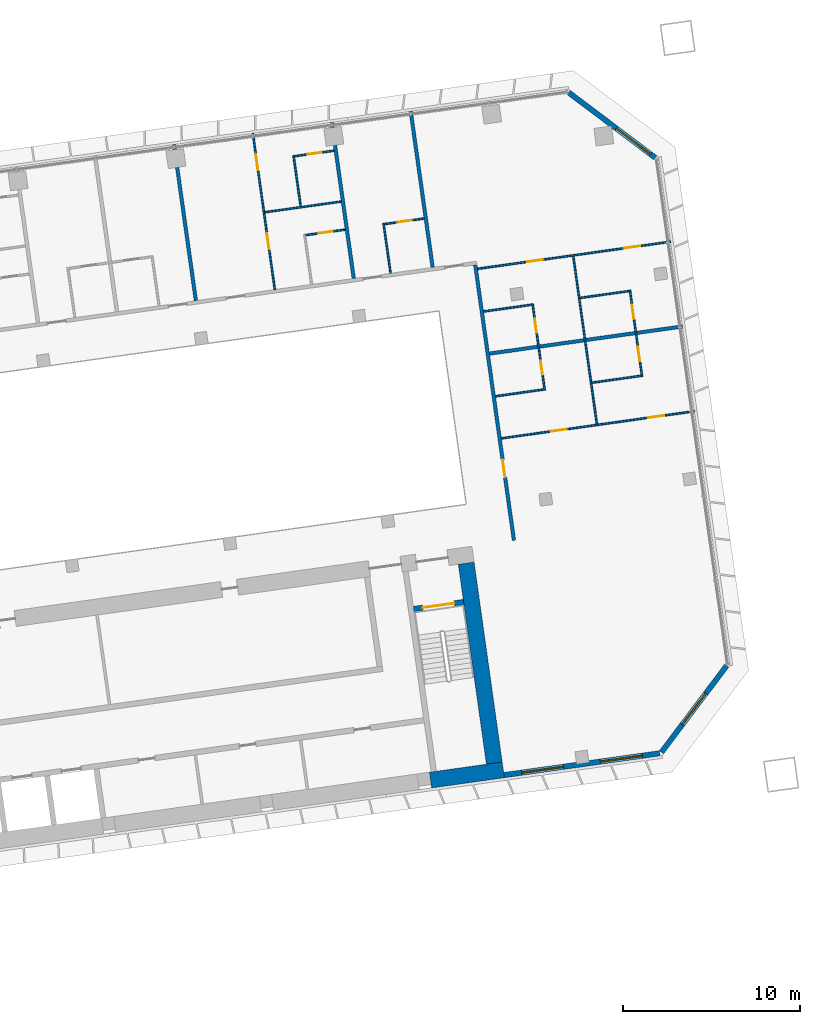
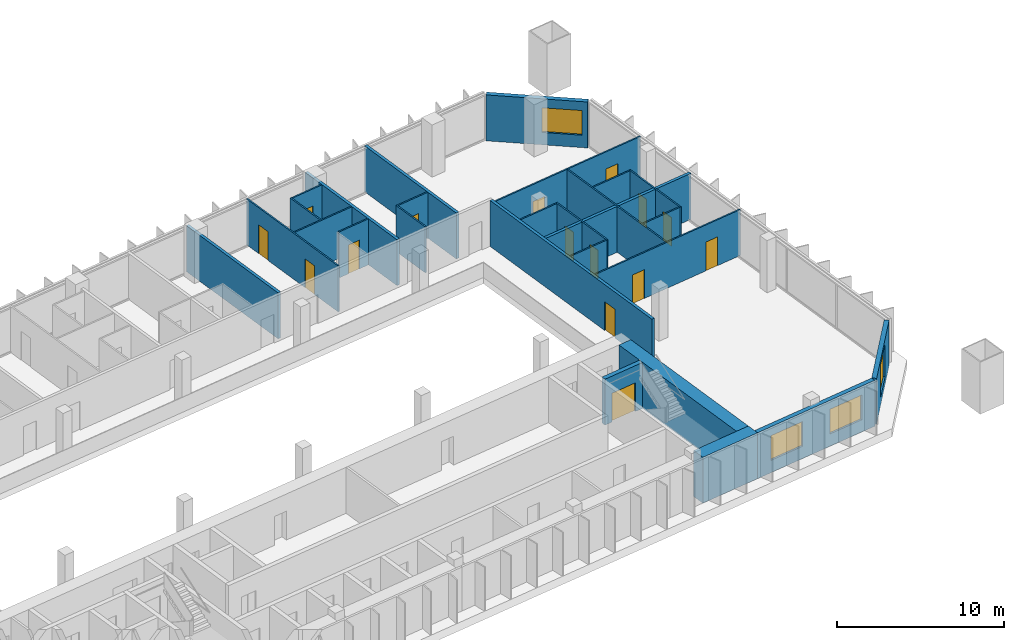
# One storey, part 22 of 25: 27 walls, 15 doors, 4 windows, 19 openings.
"""IFC4 building model written with IfcOpenShell, lengths in metres."""

from ifc_helpers import new_model, si_unit, direction, frame, frame_2d, origin, place, context, subcontext, project, spatial, rectangle, extrude, material, layer, layer_set, type_object, element, fill, save


model = new_model("IFC4")

# Units and contexts
model_context = context("Model", 3, precision=1e-05, world=origin(), true_north=direction((0.0, 1.0)))
body_context = subcontext(model_context, "Body", "Model", "MODEL_VIEW")
ifc_project = project(units=[si_unit("LENGTHUNIT", "METRE"), si_unit("AREAUNIT", "SQUARE_METRE"), si_unit("VOLUMEUNIT", "CUBIC_METRE"), si_unit("PLANEANGLEUNIT", "RADIAN"), si_unit("MASSUNIT", "GRAM", prefix="KILO")], contexts=[model_context])

# Site, building, storey
site_placement = place(None, origin())
site = spatial("IfcSite", under=ifc_project, at=site_placement, CompositionType="ELEMENT")
building_placement = place(site_placement, origin())
building = spatial("IfcBuilding", under=site, at=building_placement, Name="Mirante Cascada Hotel Towers", CompositionType="ELEMENT")
storey_placement = place(building_placement, frame((0.0, 0.0, 54.7)))
storey = spatial("IfcBuildingStorey", under=building, at=storey_placement, Name="L10", CompositionType="ELEMENT", Elevation=54.7)

# Walls
ifc_material_1 = material(Name="Fire-rated plasterboard on metal studs")
ifc_layer_1 = layer(ifc_material_1, 0.2)
ifc_layer_set_1 = layer_set([ifc_layer_1], Name="Compartment wall 200 EI 120")
wall_type_1 = type_object("IfcWallType", Name="Compartment wall 200 EI 120", PredefinedType="PARTITIONING", material=ifc_layer_set_1)
wall_1_placement = place(storey_placement, frame((89.7337, 11.2758, 0.0), z_axis=(0.0, 0.0, 1.0), x_axis=(0.990268, 0.1391733, 0.0)))
element("IfcWall", 1, at=wall_1_placement, inside=storey, type_object=wall_type_1, Name="Wall 2-L10-13", PredefinedType="PARTITIONING", context=body_context, shape_type="SweptSolid", body=[
    extrude(rectangle(XDim=11.0, YDim=0.2, at=frame_2d((5.5, 0.0))), origin(), (0.0, 0.0, 1.0), 3.35),
])
wall_2_placement = place(storey_placement, frame((71.9178, 23.0779, 0.0), z_axis=(0.0, 0.0, 1.0), x_axis=(0.1391684, -0.9902687, 0.0)))
element("IfcWall", 2, at=wall_2_placement, inside=storey, type_object=wall_type_1, Name="Wall 2-L10-52", PredefinedType="PARTITIONING", context=body_context, shape_type="SweptSolid", body=[
    extrude(rectangle(XDim=8.9, YDim=0.2, at=frame_2d((4.45, 0.0))), origin(), (0.0, 0.0, 1.0), 3.35),
])
wall_3_placement = place(storey_placement, frame((80.8302, 24.3304, 0.0), z_axis=(0.0, 0.0, 1.0), x_axis=(0.13917, -0.9902685, 0.0)))
element("IfcWall", 3, at=wall_3_placement, inside=storey, type_object=wall_type_1, Name="Wall 2-L10-56", PredefinedType="PARTITIONING", context=body_context, shape_type="SweptSolid", body=[
    extrude(rectangle(XDim=8.8999, YDim=0.2, at=frame_2d((4.45, 0.0))), origin(), (0.0, 0.0, 1.0), 3.35),
])
wall_4_placement = place(storey_placement, frame((85.2864, 24.9567, 0.0), z_axis=(0.0, 0.0, 1.0), x_axis=(0.1391684, -0.9902687, 0.0)))
element("IfcWall", 4, at=wall_4_placement, inside=storey, type_object=wall_type_1, Name="Wall 2-L10-58", PredefinedType="PARTITIONING", context=body_context, shape_type="SweptSolid", body=[
    extrude(rectangle(XDim=8.9, YDim=0.2, at=frame_2d((4.45, 0.0))), origin(), (0.0, 0.0, 1.0), 3.35),
])

# Wall, opening, door
wall_5_placement = place(storey_placement, frame((91.1145, 0.7321, 0.0), z_axis=(0.0, 0.0, 1.0), x_axis=(-0.1391721, 0.9902682, 0.0)))
wall_5 = element("IfcWall", 5, at=wall_5_placement, inside=storey, type_object=wall_type_1, Name="Wall 2-L10-59", PredefinedType="PARTITIONING", context=body_context, shape_type="SweptSolid", body=[
    extrude(rectangle(XDim=15.7, YDim=0.2, at=frame_2d((7.85, 0.0))), origin(), (0.0, 0.0, 1.0), 3.35),
])
opening_1_placement = place(wall_5_placement, frame((3.6, 0.0, 0.0)))
opening_1 = element("IfcOpeningElement", 6, at=opening_1_placement, cuts=wall_5, Name="Opening D2-L10-38", PredefinedType="OPENING", context=body_context, shape_type="SweptSolid", body=[
    extrude(rectangle(XDim=1.0, YDim=2.1, at=frame_2d((0.5, 1.05))), frame((0.0, 0.1, 0.0), z_axis=(0.0, -1.0, 0.0), x_axis=(1.0, 0.0, 0.0)), (0.0, 0.0, 1.0), 0.2),
])
ifc_material_2 = material(Name="Fire-rated timber door leaf", Category="wood")
door_type_1 = type_object("IfcDoorType", Name="Entrance door DG1 1000x2100 EI 60", OperationType="SINGLE_SWING_LEFT", PredefinedType="DOOR", material=ifc_material_2)
door_1_placement = place(opening_1_placement, frame((1.0, 0.0, 0.0), z_axis=(0.0, 0.0, 1.0), x_axis=(-1.0, 0.0, 0.0)))
door_1 = element("IfcDoor", 7, at=door_1_placement, inside=storey, type_object=door_type_1, Name="Door D2-L10-38", OperationType="SINGLE_SWING_RIGHT", OverallHeight=2.1, OverallWidth=1.0, PredefinedType="DOOR", context=body_context, shape_type="SweptSolid", body=[
    extrude(rectangle(XDim=1.0, YDim=2.1, at=frame_2d((0.5, 1.05))), frame((0.0, 0.025, 0.0), z_axis=(0.0, -1.0, 0.0), x_axis=(1.0, 0.0, 0.0)), (0.0, 0.0, 1.0), 0.05),
])
fill(opening_1, door_1)

# Wall, openings, doors
ifc_material_3 = material(Name="Plasterboard on metal studs")
ifc_layer_2 = layer(ifc_material_3, 0.1)
ifc_layer_set_2 = layer_set([ifc_layer_2], Name="Partition 100")
wall_type_2 = type_object("IfcWallType", Name="Partition 100", PredefinedType="PARTITIONING", material=ifc_layer_set_2)
wall_6_placement = place(storey_placement, frame((90.4064, 6.4896, 0.0), z_axis=(0.0, 0.0, 1.0), x_axis=(0.990268, 0.1391733, 0.0)))
wall_6 = element("IfcWall", 8, at=wall_6_placement, inside=storey, type_object=wall_type_2, Name="Wall 2-L10-07", PredefinedType="PARTITIONING", context=body_context, shape_type="SweptSolid", body=[
    extrude(rectangle(XDim=11.0, YDim=0.1, at=frame_2d((5.5, 0.0))), origin(), (0.0, 0.0, 1.0), 3.35),
])
opening_2_placement = place(wall_6_placement, frame((2.825, 0.0, 0.0)))
opening_2 = element("IfcOpeningElement", 9, at=opening_2_placement, cuts=wall_6, Name="Opening D2-L10-02", PredefinedType="OPENING", context=body_context, shape_type="SweptSolid", body=[
    extrude(rectangle(XDim=0.9, YDim=2.1, at=frame_2d((0.45, 1.05))), frame((0.0, 0.05, 0.0), z_axis=(0.0, -1.0, 0.0), x_axis=(1.0, 0.0, 0.0)), (0.0, 0.0, 1.0), 0.1),
])
opening_3_placement = place(wall_6_placement, frame((8.375, 0.0, 0.0)))
opening_3 = element("IfcOpeningElement", 10, at=opening_3_placement, cuts=wall_6, Name="Opening D2-L10-03", PredefinedType="OPENING", context=body_context, shape_type="SweptSolid", body=[
    extrude(rectangle(XDim=0.9, YDim=2.1, at=frame_2d((0.45, 1.05))), frame((0.0, 0.05, 0.0), z_axis=(0.0, -1.0, 0.0), x_axis=(1.0, 0.0, 0.0)), (0.0, 0.0, 1.0), 0.1),
])
ifc_material_4 = material(Name="Timber door leaf", Category="wood")
door_type_2 = type_object("IfcDoorType", Name="Room door DG3 900x2100", OperationType="SINGLE_SWING_LEFT", PredefinedType="DOOR", material=ifc_material_4)
door_2_placement = place(opening_2_placement, frame((0.9, 0.0, 0.0), z_axis=(0.0, 0.0, 1.0), x_axis=(-1.0, 0.0, 0.0)))
door_2 = element("IfcDoor", 11, at=door_2_placement, inside=storey, type_object=door_type_2, Name="Door D2-L10-02", OperationType="SINGLE_SWING_RIGHT", OverallHeight=2.1, OverallWidth=0.9, PredefinedType="DOOR", context=body_context, shape_type="SweptSolid", body=[
    extrude(rectangle(XDim=0.9, YDim=2.1, at=frame_2d((0.45, 1.05))), frame((0.0, 0.025, 0.0), z_axis=(0.0, -1.0, 0.0), x_axis=(1.0, 0.0, 0.0)), (0.0, 0.0, 1.0), 0.05),
])
fill(opening_2, door_2)
door_3_placement = place(opening_3_placement, frame((0.9, 0.0, 0.0), z_axis=(0.0, 0.0, 1.0), x_axis=(-1.0, 0.0, 0.0)))
door_3 = element("IfcDoor", 12, at=door_3_placement, inside=storey, type_object=door_type_2, Name="Door D2-L10-03", OperationType="SINGLE_SWING_RIGHT", OverallHeight=2.1, OverallWidth=0.9, PredefinedType="DOOR", context=body_context, shape_type="SweptSolid", body=[
    extrude(rectangle(XDim=0.9, YDim=2.1, at=frame_2d((0.45, 1.05))), frame((0.0, 0.025, 0.0), z_axis=(0.0, -1.0, 0.0), x_axis=(1.0, 0.0, 0.0)), (0.0, 0.0, 1.0), 0.05),
])
fill(opening_3, door_3)

# Walls
wall_7_placement = place(storey_placement, frame((92.7956, 9.2489, 0.0), z_axis=(0.0, 0.0, 1.0), x_axis=(-0.9902698, -0.1391607, 0.0)))
element("IfcWall", 13, at=wall_7_placement, inside=storey, type_object=wall_type_2, Name="Wall 2-L10-10", PredefinedType="PARTITIONING", context=body_context, shape_type="SweptSolid", body=[
    extrude(rectangle(XDim=2.7501, YDim=0.1, at=frame_2d((1.3751, 0.0))), origin(), (0.0, 0.0, 1.0), 3.35),
])
wall_8_placement = place(storey_placement, frame((95.5188, 9.6317, 0.0), z_axis=(0.0, 0.0, 1.0), x_axis=(0.9902726, 0.139141, 0.0)))
element("IfcWall", 14, at=wall_8_placement, inside=storey, type_object=wall_type_2, Name="Wall 2-L10-11", PredefinedType="PARTITIONING", context=body_context, shape_type="SweptSolid", body=[
    extrude(rectangle(XDim=2.8, YDim=0.1, at=frame_2d((1.4, 0.0))), origin(), (0.0, 0.0, 1.0), 3.35),
])
wall_9_placement = place(storey_placement, frame((92.1229, 14.0352, 0.0), z_axis=(0.0, 0.0, 1.0), x_axis=(-0.9902691, -0.1391657, 0.0)))
element("IfcWall", 15, at=wall_9_placement, inside=storey, type_object=wall_type_2, Name="Wall 2-L10-14", PredefinedType="PARTITIONING", context=body_context, shape_type="SweptSolid", body=[
    extrude(rectangle(XDim=2.75, YDim=0.1, at=frame_2d((1.375, 0.0))), origin(), (0.0, 0.0, 1.0), 3.35),
])
wall_10_placement = place(storey_placement, frame((94.8461, 14.4179, 0.0), z_axis=(0.0, 0.0, 1.0), x_axis=(0.9902677, 0.139176, 0.0)))
element("IfcWall", 16, at=wall_10_placement, inside=storey, type_object=wall_type_2, Name="Wall 2-L10-15", PredefinedType="PARTITIONING", context=body_context, shape_type="SweptSolid", body=[
    extrude(rectangle(XDim=2.8001, YDim=0.1, at=frame_2d((1.4, 0.0))), origin(), (0.0, 0.0, 1.0), 3.35),
])

# Wall, openings, doors
wall_11_placement = place(storey_placement, frame((99.954, 17.5931, 0.0), z_axis=(0.0, 0.0, 1.0), x_axis=(-0.9902682, -0.1391721, 0.0)))
wall_11 = element("IfcWall", 17, at=wall_11_placement, inside=storey, type_object=wall_type_2, Name="Wall 2-L10-16", PredefinedType="PARTITIONING", context=body_context, shape_type="SweptSolid", body=[
    extrude(rectangle(XDim=11.0001, YDim=0.1, at=frame_2d((5.5, 0.0))), origin(), (0.0, 0.0, 1.0), 3.35),
])
opening_4_placement = place(wall_11_placement, frame((7.275, 0.0, 0.0)))
opening_4 = element("IfcOpeningElement", 18, at=opening_4_placement, cuts=wall_11, Name="Opening D2-L10-06", PredefinedType="OPENING", context=body_context, shape_type="SweptSolid", body=[
    extrude(rectangle(XDim=0.9, YDim=2.1, at=frame_2d((0.45, 1.05))), frame((0.0, 0.05, 0.0), z_axis=(0.0, -1.0, 0.0), x_axis=(1.0, 0.0, 0.0)), (0.0, 0.0, 1.0), 0.1),
])
opening_5_placement = place(wall_11_placement, frame((1.725, 0.0, 0.0)))
opening_5 = element("IfcOpeningElement", 19, at=opening_5_placement, cuts=wall_11, Name="Opening D2-L10-07", PredefinedType="OPENING", context=body_context, shape_type="SweptSolid", body=[
    extrude(rectangle(XDim=0.9, YDim=2.1, at=frame_2d((0.45, 1.05))), frame((0.0, 0.05, 0.0), z_axis=(0.0, -1.0, 0.0), x_axis=(1.0, 0.0, 0.0)), (0.0, 0.0, 1.0), 0.1),
])
door_4_placement = place(opening_4_placement, frame((0.9, 0.0, 0.0), z_axis=(0.0, 0.0, 1.0), x_axis=(-1.0, 0.0, 0.0)))
door_4 = element("IfcDoor", 20, at=door_4_placement, inside=storey, type_object=door_type_2, Name="Door D2-L10-06", OperationType="SINGLE_SWING_RIGHT", OverallHeight=2.1, OverallWidth=0.9, PredefinedType="DOOR", context=body_context, shape_type="SweptSolid", body=[
    extrude(rectangle(XDim=0.9, YDim=2.1, at=frame_2d((0.45, 1.05))), frame((0.0, 0.025, 0.0), z_axis=(0.0, -1.0, 0.0), x_axis=(1.0, 0.0, 0.0)), (0.0, 0.0, 1.0), 0.05),
])
fill(opening_4, door_4)
door_5_placement = place(opening_5_placement, frame((0.9, 0.0, 0.0), z_axis=(0.0, 0.0, 1.0), x_axis=(-1.0, 0.0, 0.0)))
door_5 = element("IfcDoor", 21, at=door_5_placement, inside=storey, type_object=door_type_2, Name="Door D2-L10-07", OperationType="SINGLE_SWING_RIGHT", OverallHeight=2.1, OverallWidth=0.9, PredefinedType="DOOR", context=body_context, shape_type="SweptSolid", body=[
    extrude(rectangle(XDim=0.9, YDim=2.1, at=frame_2d((0.45, 1.05))), frame((0.0, 0.025, 0.0), z_axis=(0.0, -1.0, 0.0), x_axis=(1.0, 0.0, 0.0)), (0.0, 0.0, 1.0), 0.05),
])
fill(opening_5, door_5)

# Wall, opening, door
wall_12_placement = place(storey_placement, frame((81.5801, 18.2759, 0.0), z_axis=(0.0, 0.0, 1.0), x_axis=(-0.9902643, -0.1391997, 0.0)))
wall_12 = element("IfcWall", 22, at=wall_12_placement, inside=storey, type_object=wall_type_2, Name="Wall 2-L10-22", PredefinedType="PARTITIONING", context=body_context, shape_type="SweptSolid", body=[
    extrude(rectangle(XDim=2.25, YDim=0.1, at=frame_2d((1.125, 0.0))), origin(), (0.0, 0.0, 1.0), 3.35),
])
opening_6_placement = place(wall_12_placement, frame((0.7, 0.0, 0.0)))
opening_6 = element("IfcOpeningElement", 23, at=opening_6_placement, cuts=wall_12, Name="Opening D2-L10-21", PredefinedType="OPENING", context=body_context, shape_type="SweptSolid", body=[
    extrude(rectangle(XDim=0.8, YDim=2.1, at=frame_2d((0.4, 1.05))), frame((0.0, 0.05, 0.0), z_axis=(0.0, -1.0, 0.0), x_axis=(1.0, 0.0, 0.0)), (0.0, 0.0, 1.0), 0.1),
])
ifc_material_5 = material(Name="Timber door leaf", Category="wood")
door_type_3 = type_object("IfcDoorType", Name="Bathroom door DG4 800x2100", OperationType="SINGLE_SWING_LEFT", PredefinedType="DOOR", material=ifc_material_5)
door_6_placement = place(opening_6_placement, origin())
door_6 = element("IfcDoor", 24, at=door_6_placement, inside=storey, type_object=door_type_3, Name="Door D2-L10-21", OperationType="SINGLE_SWING_LEFT", OverallHeight=2.1, OverallWidth=0.8, PredefinedType="DOOR", context=body_context, shape_type="SweptSolid", body=[
    extrude(rectangle(XDim=0.8, YDim=2.1, at=frame_2d((0.4, 1.05))), frame((0.0, 0.025, 0.0), z_axis=(0.0, -1.0, 0.0), x_axis=(1.0, 0.0, 0.0)), (0.0, 0.0, 1.0), 0.05),
])
fill(opening_6, door_6)

wall_13_placement = place(storey_placement, frame((83.8082, 18.589, 0.0), z_axis=(0.0, 0.0, 1.0), x_axis=(0.9902643, 0.1391997, 0.0)))
wall_13 = element("IfcWall", 25, at=wall_13_placement, inside=storey, type_object=wall_type_2, Name="Wall 2-L10-23", PredefinedType="PARTITIONING", context=body_context, shape_type="SweptSolid", body=[
    extrude(rectangle(XDim=2.25, YDim=0.1, at=frame_2d((1.125, 0.0))), origin(), (0.0, 0.0, 1.0), 3.35),
])
opening_7_placement = place(wall_13_placement, frame((0.75, 0.0, 0.0)))
opening_7 = element("IfcOpeningElement", 26, at=opening_7_placement, cuts=wall_13, Name="Opening D2-L10-22", PredefinedType="OPENING", context=body_context, shape_type="SweptSolid", body=[
    extrude(rectangle(XDim=0.8, YDim=2.1, at=frame_2d((0.4, 1.05))), frame((0.0, 0.05, 0.0), z_axis=(0.0, -1.0, 0.0), x_axis=(1.0, 0.0, 0.0)), (0.0, 0.0, 1.0), 0.1),
])
door_7_placement = place(opening_7_placement, origin())
door_7 = element("IfcDoor", 27, at=door_7_placement, inside=storey, type_object=door_type_3, Name="Door D2-L10-22", OperationType="SINGLE_SWING_LEFT", OverallHeight=2.1, OverallWidth=0.8, PredefinedType="DOOR", context=body_context, shape_type="SweptSolid", body=[
    extrude(rectangle(XDim=0.8, YDim=2.1, at=frame_2d((0.4, 1.05))), frame((0.0, 0.025, 0.0), z_axis=(0.0, -1.0, 0.0), x_axis=(1.0, 0.0, 0.0)), (0.0, 0.0, 1.0), 0.05),
])
fill(opening_7, door_7)

# Wall
wall_14_placement = place(storey_placement, frame((77.0498, 19.2549, 0.0), z_axis=(0.0, 0.0, 1.0), x_axis=(0.9902679, 0.1391745, 0.0)))
element("IfcWall", 28, at=wall_14_placement, inside=storey, type_object=wall_type_2, Name="Wall 2-L10-27", PredefinedType="PARTITIONING", context=body_context, shape_type="SweptSolid", body=[
    extrude(rectangle(XDim=4.3499, YDim=0.1, at=frame_2d((2.175, 0.0))), origin(), (0.0, 0.0, 1.0), 3.35),
])

# Wall, opening, door
wall_15_placement = place(storey_placement, frame((80.9538, 22.7321, 0.0), z_axis=(0.0, 0.0, 1.0), x_axis=(-0.9902705, -0.1391561, 0.0)))
wall_15 = element("IfcWall", 29, at=wall_15_placement, inside=storey, type_object=wall_type_2, Name="Wall 2-L10-30", PredefinedType="PARTITIONING", context=body_context, shape_type="SweptSolid", body=[
    extrude(rectangle(XDim=2.25, YDim=0.1, at=frame_2d((1.125, 0.0))), origin(), (0.0, 0.0, 1.0), 3.35),
])
opening_8_placement = place(wall_15_placement, frame((0.7, 0.0, 0.0)))
opening_8 = element("IfcOpeningElement", 30, at=opening_8_placement, cuts=wall_15, Name="Opening D2-L10-25", PredefinedType="OPENING", context=body_context, shape_type="SweptSolid", body=[
    extrude(rectangle(XDim=0.8, YDim=2.1, at=frame_2d((0.4, 1.05))), frame((0.0, 0.05, 0.0), z_axis=(0.0, -1.0, 0.0), x_axis=(1.0, 0.0, 0.0)), (0.0, 0.0, 1.0), 0.1),
])
door_8_placement = place(opening_8_placement, origin())
door_8 = element("IfcDoor", 31, at=door_8_placement, inside=storey, type_object=door_type_3, Name="Door D2-L10-25", OperationType="SINGLE_SWING_LEFT", OverallHeight=2.1, OverallWidth=0.8, PredefinedType="DOOR", context=body_context, shape_type="SweptSolid", body=[
    extrude(rectangle(XDim=0.8, YDim=2.1, at=frame_2d((0.4, 1.05))), frame((0.0, 0.025, 0.0), z_axis=(0.0, -1.0, 0.0), x_axis=(1.0, 0.0, 0.0)), (0.0, 0.0, 1.0), 0.05),
])
fill(opening_8, door_8)

# Wall, openings, doors
wall_16_placement = place(storey_placement, frame((77.6126, 14.8908, 0.0), z_axis=(0.0, 0.0, 1.0), x_axis=(-0.1391684, 0.9902687, 0.0)))
wall_16 = element("IfcWall", 32, at=wall_16_placement, inside=storey, type_object=wall_type_2, Name="Wall 2-L10-53", PredefinedType="PARTITIONING", context=body_context, shape_type="SweptSolid", body=[
    extrude(rectangle(XDim=8.9, YDim=0.1, at=frame_2d((4.45, 0.0))), origin(), (0.0, 0.0, 1.0), 3.35),
])
opening_9_placement = place(wall_16_placement, frame((2.3, 0.0, 0.0)))
opening_9 = element("IfcOpeningElement", 33, at=opening_9_placement, cuts=wall_16, Name="Opening D2-L10-36", PredefinedType="OPENING", context=body_context, shape_type="SweptSolid", body=[
    extrude(rectangle(XDim=0.9, YDim=2.1, at=frame_2d((0.45, 1.05))), frame((0.0, 0.05, 0.0), z_axis=(0.0, -1.0, 0.0), x_axis=(1.0, 0.0, 0.0)), (0.0, 0.0, 1.0), 0.1),
])
opening_10_placement = place(wall_16_placement, frame((6.8, 0.0, 0.0)))
opening_10 = element("IfcOpeningElement", 34, at=opening_10_placement, cuts=wall_16, Name="Opening D2-L10-37", PredefinedType="OPENING", context=body_context, shape_type="SweptSolid", body=[
    extrude(rectangle(XDim=0.9, YDim=2.1, at=frame_2d((0.45, 1.05))), frame((0.0, 0.05, 0.0), z_axis=(0.0, -1.0, 0.0), x_axis=(1.0, 0.0, 0.0)), (0.0, 0.0, 1.0), 0.1),
])
door_9_placement = place(opening_9_placement, origin())
door_9 = element("IfcDoor", 35, at=door_9_placement, inside=storey, type_object=door_type_2, Name="Door D2-L10-36", OperationType="SINGLE_SWING_LEFT", OverallHeight=2.1, OverallWidth=0.9, PredefinedType="DOOR", context=body_context, shape_type="SweptSolid", body=[
    extrude(rectangle(XDim=0.9, YDim=2.1, at=frame_2d((0.45, 1.05))), frame((0.0, 0.025, 0.0), z_axis=(0.0, -1.0, 0.0), x_axis=(1.0, 0.0, 0.0)), (0.0, 0.0, 1.0), 0.05),
])
fill(opening_9, door_9)
door_10_placement = place(opening_10_placement, origin())
door_10 = element("IfcDoor", 36, at=door_10_placement, inside=storey, type_object=door_type_2, Name="Door D2-L10-37", OperationType="SINGLE_SWING_LEFT", OverallHeight=2.1, OverallWidth=0.9, PredefinedType="DOOR", context=body_context, shape_type="SweptSolid", body=[
    extrude(rectangle(XDim=0.9, YDim=2.1, at=frame_2d((0.45, 1.05))), frame((0.0, 0.025, 0.0), z_axis=(0.0, -1.0, 0.0), x_axis=(1.0, 0.0, 0.0)), (0.0, 0.0, 1.0), 0.05),
])
fill(opening_10, door_10)

# Walls
wall_17_placement = place(storey_placement, frame((79.0729, 19.5897, 0.0), z_axis=(0.0, 0.0, 1.0), x_axis=(-0.1391714, 0.9902683, 0.0)))
element("IfcWall", 37, at=wall_17_placement, inside=storey, type_object=wall_type_2, Name="Wall 2-L10-55", PredefinedType="PARTITIONING", context=body_context, shape_type="SweptSolid", body=[
    extrude(rectangle(XDim=2.9, YDim=0.1, at=frame_2d((1.45, 0.0))), origin(), (0.0, 0.0, 1.0), 3.35),
])
wall_18_placement = place(storey_placement, frame((84.1484, 15.8093, 0.0), z_axis=(0.0, 0.0, 1.0), x_axis=(-0.1391909, 0.9902656, 0.0)))
element("IfcWall", 38, at=wall_18_placement, inside=storey, type_object=wall_type_2, Name="Wall 2-L10-57", PredefinedType="PARTITIONING", context=body_context, shape_type="SweptSolid", body=[
    extrude(rectangle(XDim=2.85, YDim=0.1, at=frame_2d((1.425, 0.0))), origin(), (0.0, 0.0, 1.0), 3.35),
])

# Wall, openings, doors
wall_19_placement = place(storey_placement, frame((92.1655, 14.0917, 0.0), z_axis=(0.0, 0.0, 1.0), x_axis=(0.1391564, -0.9902704, 0.0)))
wall_19 = element("IfcWall", 39, at=wall_19_placement, inside=storey, type_object=wall_type_2, Name="Wall 2-L10-60", PredefinedType="PARTITIONING", context=body_context, shape_type="SweptSolid", body=[
    extrude(rectangle(XDim=4.9333, YDim=0.1, at=frame_2d((2.4666, 0.0))), origin(), (0.0, 0.0, 1.0), 3.35),
])
opening_11_placement = place(wall_19_placement, frame((3.25, 0.0, 0.0)))
opening_11 = element("IfcOpeningElement", 40, at=opening_11_placement, cuts=wall_19, Name="Opening D2-L10-39", PredefinedType="OPENING", context=body_context, shape_type="SweptSolid", body=[
    extrude(rectangle(XDim=0.8, YDim=2.1, at=frame_2d((0.4, 1.05))), frame((0.0, 0.05, 0.0), z_axis=(0.0, -1.0, 0.0), x_axis=(1.0, 0.0, 0.0)), (0.0, 0.0, 1.0), 0.1),
])
opening_12_placement = place(wall_19_placement, frame((0.85, 0.0, 0.0)))
opening_12 = element("IfcOpeningElement", 41, at=opening_12_placement, cuts=wall_19, Name="Opening D2-L10-40", PredefinedType="OPENING", context=body_context, shape_type="SweptSolid", body=[
    extrude(rectangle(XDim=0.8, YDim=2.1, at=frame_2d((0.4, 1.05))), frame((0.0, 0.05, 0.0), z_axis=(0.0, -1.0, 0.0), x_axis=(1.0, 0.0, 0.0)), (0.0, 0.0, 1.0), 0.1),
])
door_11_placement = place(opening_11_placement, origin())
door_11 = element("IfcDoor", 42, at=door_11_placement, inside=storey, type_object=door_type_3, Name="Door D2-L10-39", OperationType="SINGLE_SWING_LEFT", OverallHeight=2.1, OverallWidth=0.8, PredefinedType="DOOR", context=body_context, shape_type="SweptSolid", body=[
    extrude(rectangle(XDim=0.8, YDim=2.1, at=frame_2d((0.4, 1.05))), frame((0.0, 0.025, 0.0), z_axis=(0.0, -1.0, 0.0), x_axis=(1.0, 0.0, 0.0)), (0.0, 0.0, 1.0), 0.05),
])
fill(opening_11, door_11)
door_12_placement = place(opening_12_placement, frame((0.8, 0.0, 0.0), z_axis=(0.0, 0.0, 1.0), x_axis=(-1.0, 0.0, 0.0)))
door_12 = element("IfcDoor", 43, at=door_12_placement, inside=storey, type_object=door_type_3, Name="Door D2-L10-40", OperationType="SINGLE_SWING_RIGHT", OverallHeight=2.1, OverallWidth=0.8, PredefinedType="DOOR", context=body_context, shape_type="SweptSolid", body=[
    extrude(rectangle(XDim=0.8, YDim=2.1, at=frame_2d((0.4, 1.05))), frame((0.0, 0.025, 0.0), z_axis=(0.0, -1.0, 0.0), x_axis=(1.0, 0.0, 0.0)), (0.0, 0.0, 1.0), 0.05),
])
fill(opening_12, door_12)

# Wall
wall_20_placement = place(storey_placement, frame((95.7964, 7.2976, 0.0), z_axis=(0.0, 0.0, 1.0), x_axis=(-0.1391805, 0.990267, 0.0)))
element("IfcWall", 44, at=wall_20_placement, inside=storey, type_object=wall_type_2, Name="Wall 2-L10-61", PredefinedType="PARTITIONING", context=body_context, shape_type="SweptSolid", body=[
    extrude(rectangle(XDim=9.5667, YDim=0.1, at=frame_2d((4.7834, 0.0))), origin(), (0.0, 0.0, 1.0), 3.35),
])

# Wall, openings, doors
wall_21_placement = place(storey_placement, frame((97.6615, 14.8641, 0.0), z_axis=(0.0, 0.0, 1.0), x_axis=(0.1391564, -0.9902704, 0.0)))
wall_21 = element("IfcWall", 45, at=wall_21_placement, inside=storey, type_object=wall_type_2, Name="Wall 2-L10-62", PredefinedType="PARTITIONING", context=body_context, shape_type="SweptSolid", body=[
    extrude(rectangle(XDim=4.9333, YDim=0.1, at=frame_2d((2.4666, 0.0))), origin(), (0.0, 0.0, 1.0), 3.35),
])
opening_13_placement = place(wall_21_placement, frame((3.25, 0.0, 0.0)))
opening_13 = element("IfcOpeningElement", 46, at=opening_13_placement, cuts=wall_21, Name="Opening D2-L10-41", PredefinedType="OPENING", context=body_context, shape_type="SweptSolid", body=[
    extrude(rectangle(XDim=0.8, YDim=2.1, at=frame_2d((0.4, 1.05))), frame((0.0, 0.05, 0.0), z_axis=(0.0, -1.0, 0.0), x_axis=(1.0, 0.0, 0.0)), (0.0, 0.0, 1.0), 0.1),
])
opening_14_placement = place(wall_21_placement, frame((0.85, 0.0, 0.0)))
opening_14 = element("IfcOpeningElement", 47, at=opening_14_placement, cuts=wall_21, Name="Opening D2-L10-42", PredefinedType="OPENING", context=body_context, shape_type="SweptSolid", body=[
    extrude(rectangle(XDim=0.8, YDim=2.1, at=frame_2d((0.4, 1.05))), frame((0.0, 0.05, 0.0), z_axis=(0.0, -1.0, 0.0), x_axis=(1.0, 0.0, 0.0)), (0.0, 0.0, 1.0), 0.1),
])
door_13_placement = place(opening_13_placement, origin())
door_13 = element("IfcDoor", 48, at=door_13_placement, inside=storey, type_object=door_type_3, Name="Door D2-L10-41", OperationType="SINGLE_SWING_LEFT", OverallHeight=2.1, OverallWidth=0.8, PredefinedType="DOOR", context=body_context, shape_type="SweptSolid", body=[
    extrude(rectangle(XDim=0.8, YDim=2.1, at=frame_2d((0.4, 1.05))), frame((0.0, 0.025, 0.0), z_axis=(0.0, -1.0, 0.0), x_axis=(1.0, 0.0, 0.0)), (0.0, 0.0, 1.0), 0.05),
])
fill(opening_13, door_13)
door_14_placement = place(opening_14_placement, frame((0.8, 0.0, 0.0), z_axis=(0.0, 0.0, 1.0), x_axis=(-1.0, 0.0, 0.0)))
door_14 = element("IfcDoor", 49, at=door_14_placement, inside=storey, type_object=door_type_3, Name="Door D2-L10-42", OperationType="SINGLE_SWING_RIGHT", OverallHeight=2.1, OverallWidth=0.8, PredefinedType="DOOR", context=body_context, shape_type="SweptSolid", body=[
    extrude(rectangle(XDim=0.8, YDim=2.1, at=frame_2d((0.4, 1.05))), frame((0.0, 0.025, 0.0), z_axis=(0.0, -1.0, 0.0), x_axis=(1.0, 0.0, 0.0)), (0.0, 0.0, 1.0), 0.05),
])
fill(opening_14, door_14)

# Wall, openings, windows
ifc_material_6 = material(Name="Precast concrete C40/50", Category="concrete")
ifc_layer_3 = layer(ifc_material_6, 0.3)
ifc_layer_set_3 = layer_set([ifc_layer_3], Name="Precast concrete C40/50 cladding wall 300")
wall_type_3 = type_object("IfcWallType", Name="Precast concrete C40/50 cladding wall 300", PredefinedType="STANDARD", material=ifc_layer_set_3)
wall_22_placement = place(storey_placement, frame((90.5541, -12.5249, 0.0), z_axis=(0.0, 0.0, 1.0), x_axis=(0.9902676, 0.1391765, 0.0)))
wall_22 = element("IfcWall", 50, at=wall_22_placement, inside=storey, type_object=wall_type_3, Name="Rear cladding wall T2 L10 1", PredefinedType="STANDARD", context=body_context, shape_type="SweptSolid", body=[
    extrude(rectangle(XDim=8.8758, YDim=0.3, at=frame_2d((4.4379, 0.0))), origin(), (0.0, 0.0, 1.0), 3.35),
])
opening_15_placement = place(wall_22_placement, frame((1.0012, 0.0, 0.9)))
opening_15 = element("IfcOpeningElement", 51, at=opening_15_placement, cuts=wall_22, Name="Opening W2-10-01", PredefinedType="OPENING", context=body_context, shape_type="SweptSolid", body=[
    extrude(rectangle(XDim=2.4, YDim=1.8, at=frame_2d((1.2, 0.9))), frame((0.0, 0.15, 0.0), z_axis=(0.0, -1.0, 0.0), x_axis=(1.0, 0.0, 0.0)), (0.0, 0.0, 1.0), 0.3),
])
opening_16_placement = place(wall_22_placement, frame((5.4923, 0.0, 0.9)))
opening_16 = element("IfcOpeningElement", 52, at=opening_16_placement, cuts=wall_22, Name="Opening W2-10-02", PredefinedType="OPENING", context=body_context, shape_type="SweptSolid", body=[
    extrude(rectangle(XDim=2.4, YDim=1.8, at=frame_2d((1.2, 0.9))), frame((0.0, 0.15, 0.0), z_axis=(0.0, -1.0, 0.0), x_axis=(1.0, 0.0, 0.0)), (0.0, 0.0, 1.0), 0.3),
])
ifc_material_7 = material(Name="Aluminium frame with clear double glazing", Category="aluminium")
window_type_1 = type_object("IfcWindowType", Name="Punched window 2400x1800", PartitioningType="DOUBLE_PANEL_VERTICAL", PredefinedType="WINDOW", material=ifc_material_7)
window_1_placement = place(opening_15_placement, origin())
window_1 = element("IfcWindow", 53, at=window_1_placement, inside=storey, type_object=window_type_1, Name="Window W2-10-01", OverallHeight=1.8, OverallWidth=2.4, PartitioningType="SINGLE_PANEL", PredefinedType="WINDOW", context=body_context, shape_type="SweptSolid", body=[
    extrude(rectangle(XDim=2.4, YDim=1.8, at=frame_2d((1.2, 0.9))), frame((0.0, 0.03, 0.0), z_axis=(0.0, -1.0, 0.0), x_axis=(1.0, 0.0, 0.0)), (0.0, 0.0, 1.0), 0.06),
])
fill(opening_15, window_1)
window_2_placement = place(opening_16_placement, origin())
window_2 = element("IfcWindow", 54, at=window_2_placement, inside=storey, type_object=window_type_1, Name="Window W2-10-02", OverallHeight=1.8, OverallWidth=2.4, PartitioningType="SINGLE_PANEL", PredefinedType="WINDOW", context=body_context, shape_type="SweptSolid", body=[
    extrude(rectangle(XDim=2.4, YDim=1.8, at=frame_2d((1.2, 0.9))), frame((0.0, 0.03, 0.0), z_axis=(0.0, -1.0, 0.0), x_axis=(1.0, 0.0, 0.0)), (0.0, 0.0, 1.0), 0.06),
])
fill(opening_16, window_2)

# Wall, opening, window
wall_23_placement = place(storey_placement, frame((99.4424, -11.2313, 0.0), z_axis=(0.0, 0.0, 1.0), x_axis=(0.6018194, 0.7986322, 0.0)))
wall_23 = element("IfcWall", 55, at=wall_23_placement, inside=storey, type_object=wall_type_3, Name="Corner cladding wall T2 L10 rear outer", PredefinedType="STANDARD", context=body_context, shape_type="SweptSolid", body=[
    extrude(rectangle(XDim=6.1155, YDim=0.3, at=frame_2d((3.0578, 0.0))), origin(), (0.0, 0.0, 1.0), 3.35),
])
opening_17_placement = place(wall_23_placement, frame((1.9576, 0.0, 0.6)))
opening_17 = element("IfcOpeningElement", 56, at=opening_17_placement, cuts=wall_23, Name="Opening W2-10-03", PredefinedType="OPENING", context=body_context, shape_type="SweptSolid", body=[
    extrude(rectangle(XDim=2.2, YDim=2.4, at=frame_2d((1.1, 1.2))), frame((0.0, 0.15, 0.0), z_axis=(0.0, -1.0, 0.0), x_axis=(1.0, 0.0, 0.0)), (0.0, 0.0, 1.0), 0.3),
])
ifc_material_8 = material(Name="Aluminium frame with clear double glazing", Category="aluminium")
window_type_2 = type_object("IfcWindowType", Name="Corner suite window 2200x2400", PartitioningType="DOUBLE_PANEL_VERTICAL", PredefinedType="WINDOW", material=ifc_material_8)
window_3_placement = place(opening_17_placement, origin())
window_3 = element("IfcWindow", 57, at=window_3_placement, inside=storey, type_object=window_type_2, Name="Window W2-10-03", OverallHeight=2.4, OverallWidth=2.2, PartitioningType="SINGLE_PANEL", PredefinedType="WINDOW", context=body_context, shape_type="SweptSolid", body=[
    extrude(rectangle(XDim=2.2, YDim=2.4, at=frame_2d((1.1, 1.2))), frame((0.0, 0.03, 0.0), z_axis=(0.0, -1.0, 0.0), x_axis=(1.0, 0.0, 0.0)), (0.0, 0.0, 1.0), 0.06),
])
fill(opening_17, window_3)

wall_24_placement = place(storey_placement, frame((99.0919, 22.3343, 0.0), z_axis=(0.0, 0.0, 1.0), x_axis=(-0.7986362, 0.6018141, 0.0)))
wall_24 = element("IfcWall", 58, at=wall_24_placement, inside=storey, type_object=wall_type_3, Name="Corner cladding wall T2 L10 outer front", PredefinedType="STANDARD", context=body_context, shape_type="SweptSolid", body=[
    extrude(rectangle(XDim=6.1157, YDim=0.3, at=frame_2d((3.0578, 0.0))), origin(), (0.0, 0.0, 1.0), 3.35),
])
opening_18_placement = place(wall_24_placement, frame((0.35, 0.0, 0.9)))
opening_18 = element("IfcOpeningElement", 59, at=opening_18_placement, cuts=wall_24, Name="Opening W2-10-06", PredefinedType="OPENING", context=body_context, shape_type="SweptSolid", body=[
    extrude(rectangle(XDim=2.4, YDim=1.8, at=frame_2d((1.2, 0.9))), frame((0.0, 0.15, 0.0), z_axis=(0.0, -1.0, 0.0), x_axis=(1.0, 0.0, 0.0)), (0.0, 0.0, 1.0), 0.3),
])
window_4_placement = place(opening_18_placement, origin())
window_4 = element("IfcWindow", 60, at=window_4_placement, inside=storey, type_object=window_type_1, Name="Window W2-10-06", OverallHeight=1.8, OverallWidth=2.4, PartitioningType="SINGLE_PANEL", PredefinedType="WINDOW", context=body_context, shape_type="SweptSolid", body=[
    extrude(rectangle(XDim=2.4, YDim=1.8, at=frame_2d((1.2, 0.9))), frame((0.0, 0.03, 0.0), z_axis=(0.0, -1.0, 0.0), x_axis=(1.0, 0.0, 0.0)), (0.0, 0.0, 1.0), 0.06),
])
fill(opening_18, window_4)

# Wall, opening, door
ifc_material_9 = material(Name="Concrete C50/60", Category="concrete")
ifc_layer_4 = layer(ifc_material_9, 0.3)
ifc_layer_set_4 = layer_set([ifc_layer_4], Name="RC core wall 300 C50/60")
wall_type_4 = type_object("IfcWallType", Name="RC core wall 300 C50/60", PredefinedType="SHEAR", material=ifc_layer_set_4)
wall_25_placement = place(storey_placement, frame((85.4489, -3.1441, 0.0), z_axis=(0.0, 0.0, 1.0), x_axis=(0.9902697, 0.1391613, 0.0)))
wall_25 = element("IfcWall", 61, at=wall_25_placement, inside=storey, type_object=wall_type_4, Name="Core wall T2:L10:11", PredefinedType="SHEAR", context=body_context, shape_type="SweptSolid", body=[
    extrude(rectangle(XDim=2.8499, YDim=0.3, at=frame_2d((1.425, 0.0))), origin(), (0.0, 0.0, 1.0), 3.35),
])
opening_19_placement = place(wall_25_placement, frame((0.525, 0.0, 0.0)))
opening_19 = element("IfcOpeningElement", 62, at=opening_19_placement, cuts=wall_25, Name="Opening D2-10-C17", PredefinedType="OPENING", context=body_context, shape_type="SweptSolid", body=[
    extrude(rectangle(XDim=1.8, YDim=2.1, at=frame_2d((0.9, 1.05))), frame((0.0, 0.15, 0.0), z_axis=(0.0, -1.0, 0.0), x_axis=(1.0, 0.0, 0.0)), (0.0, 0.0, 1.0), 0.3),
])
ifc_material_10 = material(Name="Hollow metal fire door leaf")
door_type_4 = type_object("IfcDoorType", Name="Double fire door 1800x2100 FD60", OperationType="DOUBLE_DOOR_SINGLE_SWING", PredefinedType="DOOR", material=ifc_material_10)
door_15_placement = place(opening_19_placement, frame((1.8, 0.0, 0.0), z_axis=(0.0, 0.0, 1.0), x_axis=(-1.0, 0.0, 0.0)))
door_15 = element("IfcDoor", 63, at=door_15_placement, inside=storey, type_object=door_type_4, Name="Stair door T2 L10 17", OperationType="DOUBLE_DOOR_SINGLE_SWING", OverallHeight=2.1, OverallWidth=1.8, PredefinedType="DOOR", context=body_context, shape_type="SweptSolid", body=[
    extrude(rectangle(XDim=0.895, YDim=2.1, at=frame_2d((0.4475, 1.05))), frame((0.0, 0.025, 0.0), z_axis=(0.0, -1.0, 0.0), x_axis=(1.0, 0.0, 0.0)), (0.0, 0.0, 1.0), 0.05),
    extrude(rectangle(XDim=0.895, YDim=2.1, at=frame_2d((1.3525, 1.05))), frame((0.0, 0.025, 0.0), z_axis=(0.0, -1.0, 0.0), x_axis=(1.0, 0.0, 0.0)), (0.0, 0.0, 1.0), 0.05),
])
fill(opening_19, door_15)

# Walls
ifc_material_11 = material(Name="Concrete C50/60", Category="concrete")
ifc_layer_5 = layer(ifc_material_11, 0.9)
ifc_layer_set_5 = layer_set([ifc_layer_5], Name="RC core wall 900 C50/60")
wall_type_5 = type_object("IfcWallType", Name="RC core wall 900 C50/60", PredefinedType="SHEAR", material=ifc_layer_set_5)
wall_26_placement = place(storey_placement, frame((86.4027, -12.8054, 0.0), z_axis=(0.0, 0.0, 1.0), x_axis=(0.990267, 0.139181, 0.0)))
element("IfcWall", 64, at=wall_26_placement, inside=storey, type_object=wall_type_5, Name="Core wall T2:L10:1.7", PredefinedType="SHEAR", context=body_context, shape_type="SweptSolid", body=[
    extrude(rectangle(XDim=4.15, YDim=0.9, at=frame_2d((2.075, 0.0))), origin(), (0.0, 0.0, 1.0), 3.35),
])
wall_27_placement = place(storey_placement, frame((90.0041, -11.8449, 0.0), z_axis=(0.0, 0.0, 1.0), x_axis=(-0.1391749, 0.9902678, 0.0)))
element("IfcWall", 65, at=wall_27_placement, inside=storey, type_object=wall_type_5, Name="Core wall T2:L10:4", PredefinedType="SHEAR", context=body_context, shape_type="SweptSolid", body=[
    extrude(rectangle(XDim=11.4, YDim=0.9, at=frame_2d((5.7, 0.0))), origin(), (0.0, 0.0, 1.0), 3.35),
])

save(model, "model.ifc")
